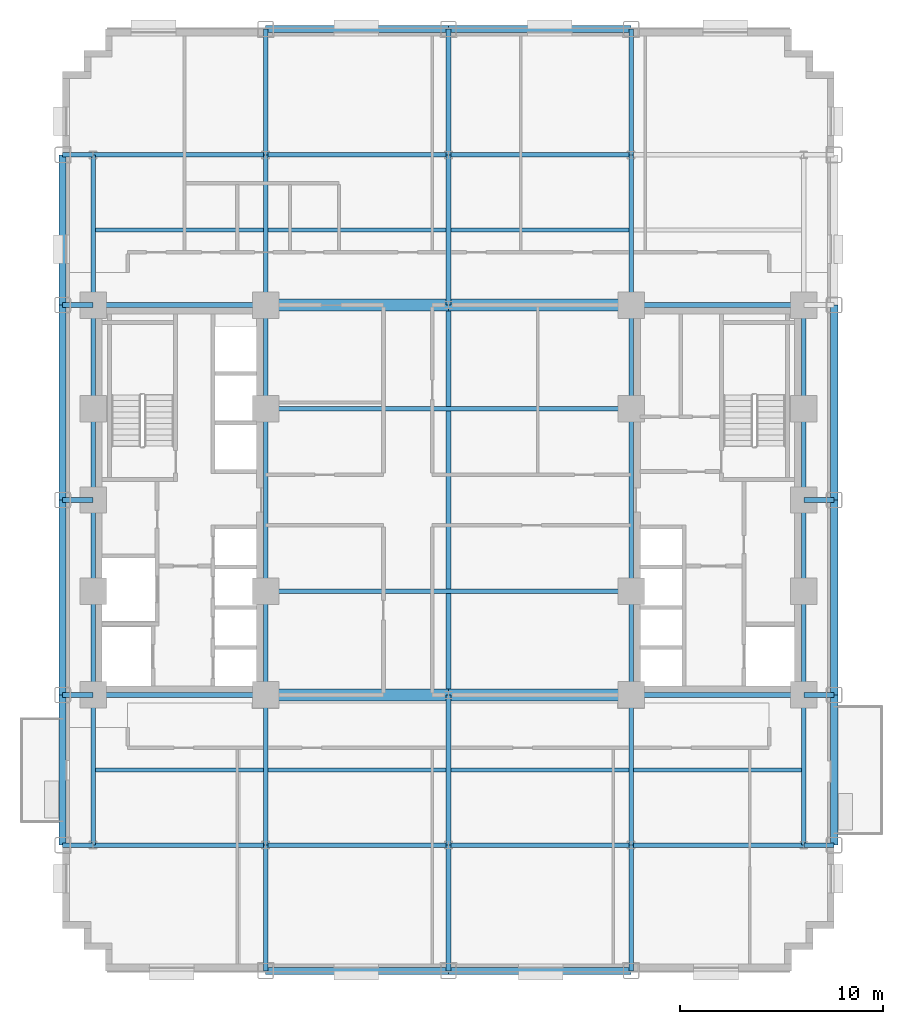
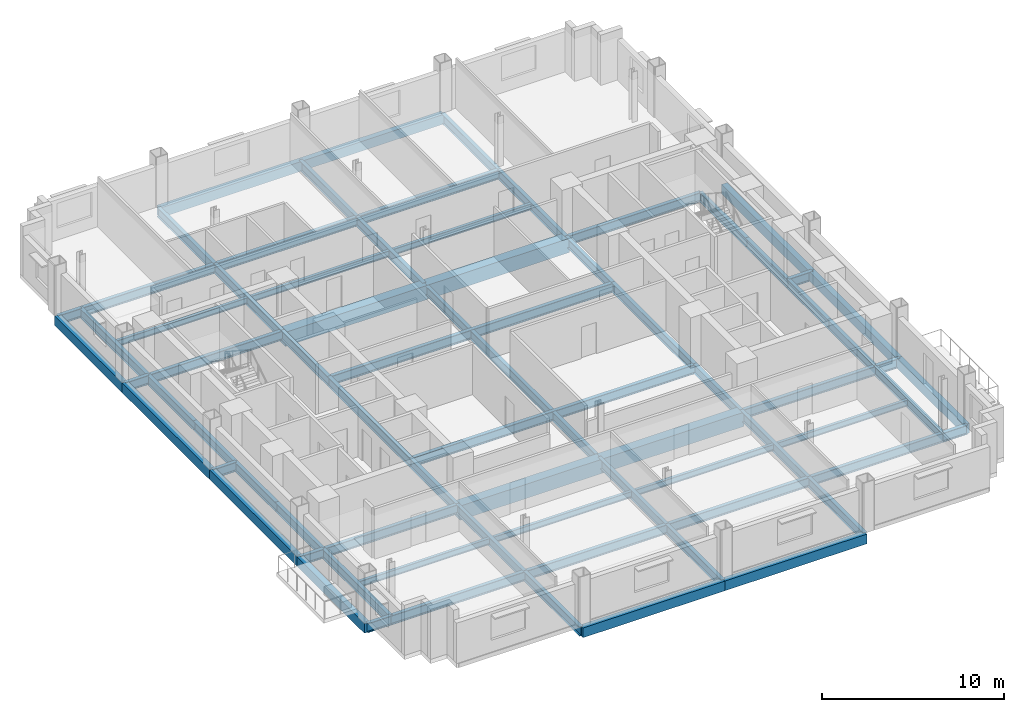
# One storey, part 3 of 12: 73 beams.
"""IFC4 building model written with IfcOpenShell, lengths in metres."""

from ifc_helpers import new_model, si_unit, direction, frame, origin, origin_2d, place, context, subcontext, project, spatial, rectangle, i_section, extrude, material, material_profile, profile_set, type_object, element, save


model = new_model("IFC4")

# Units and contexts
model_context = context("Model", 3, precision=1e-05, world=origin(), true_north=direction((0.0, 1.0)))
body_context = subcontext(model_context, "Body", "Model", "MODEL_VIEW")
ifc_project = project(units=[si_unit("LENGTHUNIT", "METRE"), si_unit("AREAUNIT", "SQUARE_METRE"), si_unit("VOLUMEUNIT", "CUBIC_METRE"), si_unit("PLANEANGLEUNIT", "RADIAN"), si_unit("MASSUNIT", "GRAM", prefix="KILO")], contexts=[model_context])

# Site, building, storey
site_placement = place(None, origin())
site = spatial("IfcSite", under=ifc_project, at=site_placement, CompositionType="ELEMENT")
building_placement = place(site_placement, origin())
building = spatial("IfcBuilding", under=site, at=building_placement, Name="Nuvemarco Arch Tower", CompositionType="ELEMENT")
storey_placement = place(building_placement, frame((0.0, 0.0, 42.199951171875)))
storey = spatial("IfcBuildingStorey", under=building, at=storey_placement, Name="L10", CompositionType="ELEMENT", Elevation=42.199951171875)

# Beams
ifc_material_1 = material(Name="Concrete C60/75", Category="concrete")
ifc_material_profile_1 = material_profile(ifc_material_1, rectangle(XDim=0.60009765625, YDim=0.949951171875, at=origin_2d()), Name="RC-BM-600x950")
ifc_profile_set_1 = profile_set([ifc_material_profile_1], Name="Concrete C60/75")
beam_type_1 = type_object("IfcBeamType", Name="BM-COUP-RC", PredefinedType="LINTEL", material=ifc_profile_set_1)
for number, where, z_axis, x_axis, name in (
    (1, (-9.0, -9.60009765625, -0.7548828125), (1.0, 0.0, 0.0), (0.0, 1.0, 0.0), "L10 structural beam BGEW_L10_0_-9.6_-9.0"),
    (2, (0.0, -9.60009765625, -0.7548828125), (1.0, 0.0, 0.0), (0.0, 1.0, 0.0), "L10 structural beam BGEW_L10_0_-9.6_+0.0"),
    (3, (-9.0, 9.60009765625, -0.7548828125), (1.0, 0.0, 0.0), (0.0, 1.0, 0.0), "L10 structural beam BGEW_L10_0_+9.6_-9.0"),
    (4, (0.0, 9.60009765625, -0.7548828125), (1.0, 0.0, 0.0), (0.0, 1.0, 0.0), "L10 structural beam BGEW_L10_0_+9.6_+0.0"),
):
    element("IfcBeam", number, at=place(storey_placement, frame(where, z_axis=z_axis, x_axis=x_axis)), inside=storey, type_object=beam_type_1, Name=name, PredefinedType="LINTEL", context=body_context, shape_type="SweptSolid", body=[
        extrude(rectangle(XDim=0.60009765625, YDim=0.949951171875, at=origin_2d()), origin(), (0.0, 0.0, 1.0), 9.0),
    ])
ifc_material_2 = material(Name="Steel S355", Category="steel")
ifc_material_profile_2 = material_profile(ifc_material_2, i_section(OverallWidth=0.22998046875, OverallDepth=0.616943359375, WebThickness=0.01318359375, FlangeThickness=0.022216796875, FilletRadius=0.01611328125, at=origin_2d()), Name="W610x140")
ifc_profile_set_2 = profile_set([ifc_material_profile_2], Name="Steel S355")
beam_type_2 = type_object("IfcBeamType", Name="BM-GIRD-610", PredefinedType="BEAM", material=ifc_profile_set_2)
beam_1_placement = place(storey_placement, frame((-17.5, -17.0, -0.58837890625), z_axis=(0.0, 1.0, 0.0), x_axis=(-1.0, 0.0, 0.0)))
element("IfcBeam", 5, at=beam_1_placement, inside=storey, type_object=beam_type_2, Name="L10 structural beam BGNS_L10_0_-17.5_-17.0", PredefinedType="BEAM", context=body_context, shape_type="SweptSolid", body=[
    extrude(i_section(OverallWidth=0.22998046875, OverallDepth=0.616943359375, WebThickness=0.01318359375, FlangeThickness=0.022216796875, FilletRadius=0.01611328125, at=origin_2d()), origin(), (0.0, 0.0, 1.0), 7.39990234375),
])
beam_2_placement = place(storey_placement, frame((-17.5, -9.60009765625, -0.58837890625), z_axis=(0.0, 1.0, 0.0), x_axis=(-1.0, 0.0, 0.0)))
element("IfcBeam", 6, at=beam_2_placement, inside=storey, type_object=beam_type_2, Name="L10 structural beam BGNS_L10_0_-17.5_-9.6", PredefinedType="BEAM", context=body_context, shape_type="SweptSolid", body=[
    extrude(i_section(OverallWidth=0.22998046875, OverallDepth=0.616943359375, WebThickness=0.01318359375, FlangeThickness=0.022216796875, FilletRadius=0.01611328125, at=origin_2d()), origin(), (0.0, 0.0, 1.0), 5.10009765625),
])
for number, where, z_axis, x_axis, name in (
    (7, (-17.5, -4.5, -0.58837890625), (0.0, 1.0, 0.0), (-1.0, 0.0, 0.0), "L10 structural beam BGNS_L10_0_-17.5_-4.5"),
    (8, (-17.5, 0.0, -0.58837890625), (0.0, 1.0, 0.0), (-1.0, 0.0, 0.0), "L10 structural beam BGNS_L10_0_-17.5_+0.0"),
):
    element("IfcBeam", number, at=place(storey_placement, frame(where, z_axis=z_axis, x_axis=x_axis)), inside=storey, type_object=beam_type_2, Name=name, PredefinedType="BEAM", context=body_context, shape_type="SweptSolid", body=[
        extrude(i_section(OverallWidth=0.22998046875, OverallDepth=0.616943359375, WebThickness=0.01318359375, FlangeThickness=0.022216796875, FilletRadius=0.01611328125, at=origin_2d()), origin(), (0.0, 0.0, 1.0), 4.5),
    ])
beam_3_placement = place(storey_placement, frame((-17.5, 4.5, -0.58837890625), z_axis=(0.0, 1.0, 0.0), x_axis=(-1.0, 0.0, 0.0)))
element("IfcBeam", 9, at=beam_3_placement, inside=storey, type_object=beam_type_2, Name="L10 structural beam BGNS_L10_0_-17.5_+4.5", PredefinedType="BEAM", context=body_context, shape_type="SweptSolid", body=[
    extrude(i_section(OverallWidth=0.22998046875, OverallDepth=0.616943359375, WebThickness=0.01318359375, FlangeThickness=0.022216796875, FilletRadius=0.01611328125, at=origin_2d()), origin(), (0.0, 0.0, 1.0), 5.10009765625),
])
beam_4_placement = place(storey_placement, frame((-17.5, 9.60009765625, -0.58837890625), z_axis=(0.0, 1.0, 0.0), x_axis=(-1.0, 0.0, 0.0)))
element("IfcBeam", 10, at=beam_4_placement, inside=storey, type_object=beam_type_2, Name="L10 structural beam BGNS_L10_0_-17.5_+9.6", PredefinedType="BEAM", context=body_context, shape_type="SweptSolid", body=[
    extrude(i_section(OverallWidth=0.22998046875, OverallDepth=0.616943359375, WebThickness=0.01318359375, FlangeThickness=0.022216796875, FilletRadius=0.01611328125, at=origin_2d()), origin(), (0.0, 0.0, 1.0), 7.39990234375),
])
beam_5_placement = place(storey_placement, frame((-9.0, -23.199951171875, -0.58837890625), z_axis=(0.0, 1.0, 0.0), x_axis=(-1.0, 0.0, 0.0)))
element("IfcBeam", 11, at=beam_5_placement, inside=storey, type_object=beam_type_2, Name="L10 structural beam BGNS_L10_0_-9.0_-23.2", PredefinedType="BEAM", context=body_context, shape_type="SweptSolid", body=[
    extrude(i_section(OverallWidth=0.22998046875, OverallDepth=0.616943359375, WebThickness=0.01318359375, FlangeThickness=0.022216796875, FilletRadius=0.01611328125, at=origin_2d()), origin(), (0.0, 0.0, 1.0), 6.199951171875),
])
beam_6_placement = place(storey_placement, frame((-9.0, -17.0, -0.58837890625), z_axis=(0.0, 1.0, 0.0), x_axis=(-1.0, 0.0, 0.0)))
element("IfcBeam", 12, at=beam_6_placement, inside=storey, type_object=beam_type_2, Name="L10 structural beam BGNS_L10_0_-9.0_-17.0", PredefinedType="BEAM", context=body_context, shape_type="SweptSolid", body=[
    extrude(i_section(OverallWidth=0.22998046875, OverallDepth=0.616943359375, WebThickness=0.01318359375, FlangeThickness=0.022216796875, FilletRadius=0.01611328125, at=origin_2d()), origin(), (0.0, 0.0, 1.0), 7.39990234375),
])
beam_7_placement = place(storey_placement, frame((-9.0, -9.60009765625, -0.58837890625), z_axis=(0.0, 1.0, 0.0), x_axis=(-1.0, 0.0, 0.0)))
element("IfcBeam", 13, at=beam_7_placement, inside=storey, type_object=beam_type_2, Name="L10 structural beam BGNS_L10_0_-9.0_-9.6", PredefinedType="BEAM", context=body_context, shape_type="SweptSolid", body=[
    extrude(i_section(OverallWidth=0.22998046875, OverallDepth=0.616943359375, WebThickness=0.01318359375, FlangeThickness=0.022216796875, FilletRadius=0.01611328125, at=origin_2d()), origin(), (0.0, 0.0, 1.0), 5.10009765625),
])
beam_8_placement = place(storey_placement, frame((-9.0, -4.5, -0.58837890625), z_axis=(0.0, 1.0, 0.0), x_axis=(-1.0, 0.0, 0.0)))
element("IfcBeam", 14, at=beam_8_placement, inside=storey, type_object=beam_type_2, Name="L10 structural beam BGNS_L10_0_-9.0_-4.5", PredefinedType="BEAM", context=body_context, shape_type="SweptSolid", body=[
    extrude(i_section(OverallWidth=0.22998046875, OverallDepth=0.616943359375, WebThickness=0.01318359375, FlangeThickness=0.022216796875, FilletRadius=0.01611328125, at=origin_2d()), origin(), (0.0, 0.0, 1.0), 9.0),
])
beam_9_placement = place(storey_placement, frame((-9.0, 4.5, -0.58837890625), z_axis=(0.0, 1.0, 0.0), x_axis=(-1.0, 0.0, 0.0)))
element("IfcBeam", 15, at=beam_9_placement, inside=storey, type_object=beam_type_2, Name="L10 structural beam BGNS_L10_0_-9.0_+4.5", PredefinedType="BEAM", context=body_context, shape_type="SweptSolid", body=[
    extrude(i_section(OverallWidth=0.22998046875, OverallDepth=0.616943359375, WebThickness=0.01318359375, FlangeThickness=0.022216796875, FilletRadius=0.01611328125, at=origin_2d()), origin(), (0.0, 0.0, 1.0), 5.10009765625),
])
beam_10_placement = place(storey_placement, frame((-9.0, 9.60009765625, -0.58837890625), z_axis=(0.0, 1.0, 0.0), x_axis=(-1.0, 0.0, 0.0)))
element("IfcBeam", 16, at=beam_10_placement, inside=storey, type_object=beam_type_2, Name="L10 structural beam BGNS_L10_0_-9.0_+9.6", PredefinedType="BEAM", context=body_context, shape_type="SweptSolid", body=[
    extrude(i_section(OverallWidth=0.22998046875, OverallDepth=0.616943359375, WebThickness=0.01318359375, FlangeThickness=0.022216796875, FilletRadius=0.01611328125, at=origin_2d()), origin(), (0.0, 0.0, 1.0), 7.39990234375),
])
for number, where, z_axis, x_axis, name in (
    (17, (-9.0, 17.0, -0.58837890625), (0.0, 1.0, 0.0), (-1.0, 0.0, 0.0), "L10 structural beam BGNS_L10_0_-9.0_+17.0"),
    (18, (0.0, -23.199951171875, -0.58837890625), (0.0, 1.0, 0.0), (-1.0, 0.0, 0.0), "L10 structural beam BGNS_L10_0_+0.0_-23.2"),
):
    element("IfcBeam", number, at=place(storey_placement, frame(where, z_axis=z_axis, x_axis=x_axis)), inside=storey, type_object=beam_type_2, Name=name, PredefinedType="BEAM", context=body_context, shape_type="SweptSolid", body=[
        extrude(i_section(OverallWidth=0.22998046875, OverallDepth=0.616943359375, WebThickness=0.01318359375, FlangeThickness=0.022216796875, FilletRadius=0.01611328125, at=origin_2d()), origin(), (0.0, 0.0, 1.0), 6.199951171875),
    ])
beam_11_placement = place(storey_placement, frame((0.0, -17.0, -0.58837890625), z_axis=(0.0, 1.0, 0.0), x_axis=(-1.0, 0.0, 0.0)))
element("IfcBeam", 19, at=beam_11_placement, inside=storey, type_object=beam_type_2, Name="L10 structural beam BGNS_L10_0_+0.0_-17.0", PredefinedType="BEAM", context=body_context, shape_type="SweptSolid", body=[
    extrude(i_section(OverallWidth=0.22998046875, OverallDepth=0.616943359375, WebThickness=0.01318359375, FlangeThickness=0.022216796875, FilletRadius=0.01611328125, at=origin_2d()), origin(), (0.0, 0.0, 1.0), 7.39990234375),
])
beam_12_placement = place(storey_placement, frame((0.0, -9.60009765625, -0.58837890625), z_axis=(0.0, 1.0, 0.0), x_axis=(-1.0, 0.0, 0.0)))
element("IfcBeam", 20, at=beam_12_placement, inside=storey, type_object=beam_type_2, Name="L10 structural beam BGNS_L10_0_+0.0_-9.6", PredefinedType="BEAM", context=body_context, shape_type="SweptSolid", body=[
    extrude(i_section(OverallWidth=0.22998046875, OverallDepth=0.616943359375, WebThickness=0.01318359375, FlangeThickness=0.022216796875, FilletRadius=0.01611328125, at=origin_2d()), origin(), (0.0, 0.0, 1.0), 19.2001953125),
])
beam_13_placement = place(storey_placement, frame((0.0, 9.60009765625, -0.58837890625), z_axis=(0.0, 1.0, 0.0), x_axis=(-1.0, 0.0, 0.0)))
element("IfcBeam", 21, at=beam_13_placement, inside=storey, type_object=beam_type_2, Name="L10 structural beam BGNS_L10_0_+0.0_+9.6", PredefinedType="BEAM", context=body_context, shape_type="SweptSolid", body=[
    extrude(i_section(OverallWidth=0.22998046875, OverallDepth=0.616943359375, WebThickness=0.01318359375, FlangeThickness=0.022216796875, FilletRadius=0.01611328125, at=origin_2d()), origin(), (0.0, 0.0, 1.0), 7.39990234375),
])
for number, where, z_axis, x_axis, name in (
    (22, (0.0, 17.0, -0.58837890625), (0.0, 1.0, 0.0), (-1.0, 0.0, 0.0), "L10 structural beam BGNS_L10_0_+0.0_+17.0"),
    (23, (9.0, -23.199951171875, -0.58837890625), (0.0, 1.0, 0.0), (-1.0, 0.0, 0.0), "L10 structural beam BGNS_L10_0_+9.0_-23.2"),
):
    element("IfcBeam", number, at=place(storey_placement, frame(where, z_axis=z_axis, x_axis=x_axis)), inside=storey, type_object=beam_type_2, Name=name, PredefinedType="BEAM", context=body_context, shape_type="SweptSolid", body=[
        extrude(i_section(OverallWidth=0.22998046875, OverallDepth=0.616943359375, WebThickness=0.01318359375, FlangeThickness=0.022216796875, FilletRadius=0.01611328125, at=origin_2d()), origin(), (0.0, 0.0, 1.0), 6.199951171875),
    ])
beam_14_placement = place(storey_placement, frame((9.0, -17.0, -0.58837890625), z_axis=(0.0, 1.0, 0.0), x_axis=(-1.0, 0.0, 0.0)))
element("IfcBeam", 24, at=beam_14_placement, inside=storey, type_object=beam_type_2, Name="L10 structural beam BGNS_L10_0_+9.0_-17.0", PredefinedType="BEAM", context=body_context, shape_type="SweptSolid", body=[
    extrude(i_section(OverallWidth=0.22998046875, OverallDepth=0.616943359375, WebThickness=0.01318359375, FlangeThickness=0.022216796875, FilletRadius=0.01611328125, at=origin_2d()), origin(), (0.0, 0.0, 1.0), 7.39990234375),
])
beam_15_placement = place(storey_placement, frame((9.0, -9.60009765625, -0.58837890625), z_axis=(0.0, 1.0, 0.0), x_axis=(-1.0, 0.0, 0.0)))
element("IfcBeam", 25, at=beam_15_placement, inside=storey, type_object=beam_type_2, Name="L10 structural beam BGNS_L10_0_+9.0_-9.6", PredefinedType="BEAM", context=body_context, shape_type="SweptSolid", body=[
    extrude(i_section(OverallWidth=0.22998046875, OverallDepth=0.616943359375, WebThickness=0.01318359375, FlangeThickness=0.022216796875, FilletRadius=0.01611328125, at=origin_2d()), origin(), (0.0, 0.0, 1.0), 5.10009765625),
])
beam_16_placement = place(storey_placement, frame((9.0, -4.5, -0.58837890625), z_axis=(0.0, 1.0, 0.0), x_axis=(-1.0, 0.0, 0.0)))
element("IfcBeam", 26, at=beam_16_placement, inside=storey, type_object=beam_type_2, Name="L10 structural beam BGNS_L10_0_+9.0_-4.5", PredefinedType="BEAM", context=body_context, shape_type="SweptSolid", body=[
    extrude(i_section(OverallWidth=0.22998046875, OverallDepth=0.616943359375, WebThickness=0.01318359375, FlangeThickness=0.022216796875, FilletRadius=0.01611328125, at=origin_2d()), origin(), (0.0, 0.0, 1.0), 9.0),
])
beam_17_placement = place(storey_placement, frame((9.0, 4.5, -0.58837890625), z_axis=(0.0, 1.0, 0.0), x_axis=(-1.0, 0.0, 0.0)))
element("IfcBeam", 27, at=beam_17_placement, inside=storey, type_object=beam_type_2, Name="L10 structural beam BGNS_L10_0_+9.0_+4.5", PredefinedType="BEAM", context=body_context, shape_type="SweptSolid", body=[
    extrude(i_section(OverallWidth=0.22998046875, OverallDepth=0.616943359375, WebThickness=0.01318359375, FlangeThickness=0.022216796875, FilletRadius=0.01611328125, at=origin_2d()), origin(), (0.0, 0.0, 1.0), 5.10009765625),
])
beam_18_placement = place(storey_placement, frame((9.0, 9.60009765625, -0.58837890625), z_axis=(0.0, 1.0, 0.0), x_axis=(-1.0, 0.0, 0.0)))
element("IfcBeam", 28, at=beam_18_placement, inside=storey, type_object=beam_type_2, Name="L10 structural beam BGNS_L10_0_+9.0_+9.6", PredefinedType="BEAM", context=body_context, shape_type="SweptSolid", body=[
    extrude(i_section(OverallWidth=0.22998046875, OverallDepth=0.616943359375, WebThickness=0.01318359375, FlangeThickness=0.022216796875, FilletRadius=0.01611328125, at=origin_2d()), origin(), (0.0, 0.0, 1.0), 7.39990234375),
])
beam_19_placement = place(storey_placement, frame((9.0, 17.0, -0.58837890625), z_axis=(0.0, 1.0, 0.0), x_axis=(-1.0, 0.0, 0.0)))
element("IfcBeam", 29, at=beam_19_placement, inside=storey, type_object=beam_type_2, Name="L10 structural beam BGNS_L10_0_+9.0_+17.0", PredefinedType="BEAM", context=body_context, shape_type="SweptSolid", body=[
    extrude(i_section(OverallWidth=0.22998046875, OverallDepth=0.616943359375, WebThickness=0.01318359375, FlangeThickness=0.022216796875, FilletRadius=0.01611328125, at=origin_2d()), origin(), (0.0, 0.0, 1.0), 6.199951171875),
])
beam_20_placement = place(storey_placement, frame((17.5, -17.0, -0.58837890625), z_axis=(0.0, 1.0, 0.0), x_axis=(-1.0, 0.0, 0.0)))
element("IfcBeam", 30, at=beam_20_placement, inside=storey, type_object=beam_type_2, Name="L10 structural beam BGNS_L10_0_+17.5_-17.0", PredefinedType="BEAM", context=body_context, shape_type="SweptSolid", body=[
    extrude(i_section(OverallWidth=0.22998046875, OverallDepth=0.616943359375, WebThickness=0.01318359375, FlangeThickness=0.022216796875, FilletRadius=0.01611328125, at=origin_2d()), origin(), (0.0, 0.0, 1.0), 7.39990234375),
])
beam_21_placement = place(storey_placement, frame((17.5, -9.60009765625, -0.58837890625), z_axis=(0.0, 1.0, 0.0), x_axis=(-1.0, 0.0, 0.0)))
element("IfcBeam", 31, at=beam_21_placement, inside=storey, type_object=beam_type_2, Name="L10 structural beam BGNS_L10_0_+17.5_-9.6", PredefinedType="BEAM", context=body_context, shape_type="SweptSolid", body=[
    extrude(i_section(OverallWidth=0.22998046875, OverallDepth=0.616943359375, WebThickness=0.01318359375, FlangeThickness=0.022216796875, FilletRadius=0.01611328125, at=origin_2d()), origin(), (0.0, 0.0, 1.0), 5.10009765625),
])
for number, where, z_axis, x_axis, name in (
    (32, (17.5, -4.5, -0.58837890625), (0.0, 1.0, 0.0), (-1.0, 0.0, 0.0), "L10 structural beam BGNS_L10_0_+17.5_-4.5"),
    (33, (17.5, 0.0, -0.58837890625), (0.0, 1.0, 0.0), (-1.0, 0.0, 0.0), "L10 structural beam BGNS_L10_0_+17.5_+0.0"),
):
    element("IfcBeam", number, at=place(storey_placement, frame(where, z_axis=z_axis, x_axis=x_axis)), inside=storey, type_object=beam_type_2, Name=name, PredefinedType="BEAM", context=body_context, shape_type="SweptSolid", body=[
        extrude(i_section(OverallWidth=0.22998046875, OverallDepth=0.616943359375, WebThickness=0.01318359375, FlangeThickness=0.022216796875, FilletRadius=0.01611328125, at=origin_2d()), origin(), (0.0, 0.0, 1.0), 4.5),
    ])
beam_22_placement = place(storey_placement, frame((17.5, 4.5, -0.58837890625), z_axis=(0.0, 1.0, 0.0), x_axis=(-1.0, 0.0, 0.0)))
element("IfcBeam", 34, at=beam_22_placement, inside=storey, type_object=beam_type_2, Name="L10 structural beam BGNS_L10_0_+17.5_+4.5", PredefinedType="BEAM", context=body_context, shape_type="SweptSolid", body=[
    extrude(i_section(OverallWidth=0.22998046875, OverallDepth=0.616943359375, WebThickness=0.01318359375, FlangeThickness=0.022216796875, FilletRadius=0.01611328125, at=origin_2d()), origin(), (0.0, 0.0, 1.0), 5.10009765625),
])
beam_23_placement = place(storey_placement, frame((-19.0, -17.0, -0.58837890625), z_axis=(1.0, 0.0, 0.0), x_axis=(0.0, 1.0, 0.0)))
element("IfcBeam", 35, at=beam_23_placement, inside=storey, type_object=beam_type_2, Name="L10 structural beam BGEW_L10_0_-17.0_-19.0", PredefinedType="BEAM", context=body_context, shape_type="SweptSolid", body=[
    extrude(i_section(OverallWidth=0.22998046875, OverallDepth=0.616943359375, WebThickness=0.01318359375, FlangeThickness=0.022216796875, FilletRadius=0.01611328125, at=origin_2d()), origin(), (0.0, 0.0, 1.0), 1.5),
])
beam_24_placement = place(storey_placement, frame((-17.5, -17.0, -0.58837890625), z_axis=(1.0, 0.0, 0.0), x_axis=(0.0, 1.0, 0.0)))
element("IfcBeam", 36, at=beam_24_placement, inside=storey, type_object=beam_type_2, Name="L10 structural beam BGEW_L10_0_-17.0_-17.5", PredefinedType="BEAM", context=body_context, shape_type="SweptSolid", body=[
    extrude(i_section(OverallWidth=0.22998046875, OverallDepth=0.616943359375, WebThickness=0.01318359375, FlangeThickness=0.022216796875, FilletRadius=0.01611328125, at=origin_2d()), origin(), (0.0, 0.0, 1.0), 8.5),
])
for number, where, z_axis, x_axis, name in (
    (37, (-9.0, -17.0, -0.58837890625), (1.0, 0.0, 0.0), (0.0, 1.0, 0.0), "L10 structural beam BGEW_L10_0_-17.0_-9.0"),
    (38, (0.0, -17.0, -0.58837890625), (1.0, 0.0, 0.0), (0.0, 1.0, 0.0), "L10 structural beam BGEW_L10_0_-17.0_+0.0"),
):
    element("IfcBeam", number, at=place(storey_placement, frame(where, z_axis=z_axis, x_axis=x_axis)), inside=storey, type_object=beam_type_2, Name=name, PredefinedType="BEAM", context=body_context, shape_type="SweptSolid", body=[
        extrude(i_section(OverallWidth=0.22998046875, OverallDepth=0.616943359375, WebThickness=0.01318359375, FlangeThickness=0.022216796875, FilletRadius=0.01611328125, at=origin_2d()), origin(), (0.0, 0.0, 1.0), 9.0),
    ])
beam_25_placement = place(storey_placement, frame((9.0, -17.0, -0.58837890625), z_axis=(1.0, 0.0, 0.0), x_axis=(0.0, 1.0, 0.0)))
element("IfcBeam", 39, at=beam_25_placement, inside=storey, type_object=beam_type_2, Name="L10 structural beam BGEW_L10_0_-17.0_+9.0", PredefinedType="BEAM", context=body_context, shape_type="SweptSolid", body=[
    extrude(i_section(OverallWidth=0.22998046875, OverallDepth=0.616943359375, WebThickness=0.01318359375, FlangeThickness=0.022216796875, FilletRadius=0.01611328125, at=origin_2d()), origin(), (0.0, 0.0, 1.0), 8.5),
])
for number, where, z_axis, x_axis, name in (
    (40, (17.5, -17.0, -0.58837890625), (1.0, 0.0, 0.0), (0.0, 1.0, 0.0), "L10 structural beam BGEW_L10_0_-17.0_+17.5"),
    (41, (-19.0, -9.60009765625, -0.58837890625), (1.0, 0.0, 0.0), (0.0, 1.0, 0.0), "L10 structural beam BGEW_L10_0_-9.6_-19.0"),
):
    element("IfcBeam", number, at=place(storey_placement, frame(where, z_axis=z_axis, x_axis=x_axis)), inside=storey, type_object=beam_type_2, Name=name, PredefinedType="BEAM", context=body_context, shape_type="SweptSolid", body=[
        extrude(i_section(OverallWidth=0.22998046875, OverallDepth=0.616943359375, WebThickness=0.01318359375, FlangeThickness=0.022216796875, FilletRadius=0.01611328125, at=origin_2d()), origin(), (0.0, 0.0, 1.0), 1.5),
    ])
for number, where, z_axis, x_axis, name in (
    (42, (-17.5, -9.60009765625, -0.58837890625), (1.0, 0.0, 0.0), (0.0, 1.0, 0.0), "L10 structural beam BGEW_L10_0_-9.6_-17.5"),
    (43, (9.0, -9.60009765625, -0.58837890625), (1.0, 0.0, 0.0), (0.0, 1.0, 0.0), "L10 structural beam BGEW_L10_0_-9.6_+9.0"),
):
    element("IfcBeam", number, at=place(storey_placement, frame(where, z_axis=z_axis, x_axis=x_axis)), inside=storey, type_object=beam_type_2, Name=name, PredefinedType="BEAM", context=body_context, shape_type="SweptSolid", body=[
        extrude(i_section(OverallWidth=0.22998046875, OverallDepth=0.616943359375, WebThickness=0.01318359375, FlangeThickness=0.022216796875, FilletRadius=0.01611328125, at=origin_2d()), origin(), (0.0, 0.0, 1.0), 8.5),
    ])
beam_26_placement = place(storey_placement, frame((17.5, -9.60009765625, -0.58837890625), z_axis=(1.0, 0.0, 0.0), x_axis=(0.0, 1.0, 0.0)))
element("IfcBeam", 44, at=beam_26_placement, inside=storey, type_object=beam_type_2, Name="L10 structural beam BGEW_L10_0_-9.6_+17.5", PredefinedType="BEAM", context=body_context, shape_type="SweptSolid", body=[
    extrude(i_section(OverallWidth=0.22998046875, OverallDepth=0.616943359375, WebThickness=0.01318359375, FlangeThickness=0.022216796875, FilletRadius=0.01611328125, at=origin_2d()), origin(), (0.0, 0.0, 1.0), 1.5),
])
beam_27_placement = place(storey_placement, frame((-9.0, -4.5, -0.58837890625), z_axis=(1.0, 0.0, 0.0), x_axis=(0.0, 1.0, 0.0)))
element("IfcBeam", 45, at=beam_27_placement, inside=storey, type_object=beam_type_2, Name="L10 structural beam BGEW_L10_0_-4.5_-9.0", PredefinedType="BEAM", context=body_context, shape_type="SweptSolid", body=[
    extrude(i_section(OverallWidth=0.22998046875, OverallDepth=0.616943359375, WebThickness=0.01318359375, FlangeThickness=0.022216796875, FilletRadius=0.01611328125, at=origin_2d()), origin(), (0.0, 0.0, 1.0), 18.0),
])
for number, where, z_axis, x_axis, name in (
    (46, (-19.0, 0.0, -0.58837890625), (1.0, 0.0, 0.0), (0.0, 1.0, 0.0), "L10 structural beam BGEW_L10_0_+0.0_-19.0"),
    (47, (17.5, 0.0, -0.58837890625), (1.0, 0.0, 0.0), (0.0, 1.0, 0.0), "L10 structural beam BGEW_L10_0_+0.0_+17.5"),
):
    element("IfcBeam", number, at=place(storey_placement, frame(where, z_axis=z_axis, x_axis=x_axis)), inside=storey, type_object=beam_type_2, Name=name, PredefinedType="BEAM", context=body_context, shape_type="SweptSolid", body=[
        extrude(i_section(OverallWidth=0.22998046875, OverallDepth=0.616943359375, WebThickness=0.01318359375, FlangeThickness=0.022216796875, FilletRadius=0.01611328125, at=origin_2d()), origin(), (0.0, 0.0, 1.0), 1.5),
    ])
beam_28_placement = place(storey_placement, frame((-9.0, 4.5, -0.58837890625), z_axis=(1.0, 0.0, 0.0), x_axis=(0.0, 1.0, 0.0)))
element("IfcBeam", 48, at=beam_28_placement, inside=storey, type_object=beam_type_2, Name="L10 structural beam BGEW_L10_0_+4.5_-9.0", PredefinedType="BEAM", context=body_context, shape_type="SweptSolid", body=[
    extrude(i_section(OverallWidth=0.22998046875, OverallDepth=0.616943359375, WebThickness=0.01318359375, FlangeThickness=0.022216796875, FilletRadius=0.01611328125, at=origin_2d()), origin(), (0.0, 0.0, 1.0), 18.0),
])
beam_29_placement = place(storey_placement, frame((-19.0, 9.60009765625, -0.58837890625), z_axis=(1.0, 0.0, 0.0), x_axis=(0.0, 1.0, 0.0)))
element("IfcBeam", 49, at=beam_29_placement, inside=storey, type_object=beam_type_2, Name="L10 structural beam BGEW_L10_0_+9.6_-19.0", PredefinedType="BEAM", context=body_context, shape_type="SweptSolid", body=[
    extrude(i_section(OverallWidth=0.22998046875, OverallDepth=0.616943359375, WebThickness=0.01318359375, FlangeThickness=0.022216796875, FilletRadius=0.01611328125, at=origin_2d()), origin(), (0.0, 0.0, 1.0), 1.5),
])
for number, where, z_axis, x_axis, name in (
    (50, (-17.5, 9.60009765625, -0.58837890625), (1.0, 0.0, 0.0), (0.0, 1.0, 0.0), "L10 structural beam BGEW_L10_0_+9.6_-17.5"),
    (51, (9.0, 9.60009765625, -0.58837890625), (1.0, 0.0, 0.0), (0.0, 1.0, 0.0), "L10 structural beam BGEW_L10_0_+9.6_+9.0"),
):
    element("IfcBeam", number, at=place(storey_placement, frame(where, z_axis=z_axis, x_axis=x_axis)), inside=storey, type_object=beam_type_2, Name=name, PredefinedType="BEAM", context=body_context, shape_type="SweptSolid", body=[
        extrude(i_section(OverallWidth=0.22998046875, OverallDepth=0.616943359375, WebThickness=0.01318359375, FlangeThickness=0.022216796875, FilletRadius=0.01611328125, at=origin_2d()), origin(), (0.0, 0.0, 1.0), 8.5),
    ])
beam_30_placement = place(storey_placement, frame((-19.0, 17.0, -0.58837890625), z_axis=(1.0, 0.0, 0.0), x_axis=(0.0, 1.0, 0.0)))
element("IfcBeam", 52, at=beam_30_placement, inside=storey, type_object=beam_type_2, Name="L10 structural beam BGEW_L10_0_+17.0_-19.0", PredefinedType="BEAM", context=body_context, shape_type="SweptSolid", body=[
    extrude(i_section(OverallWidth=0.22998046875, OverallDepth=0.616943359375, WebThickness=0.01318359375, FlangeThickness=0.022216796875, FilletRadius=0.01611328125, at=origin_2d()), origin(), (0.0, 0.0, 1.0), 1.5),
])
beam_31_placement = place(storey_placement, frame((-17.5, 17.0, -0.58837890625), z_axis=(1.0, 0.0, 0.0), x_axis=(0.0, 1.0, 0.0)))
element("IfcBeam", 53, at=beam_31_placement, inside=storey, type_object=beam_type_2, Name="L10 structural beam BGEW_L10_0_+17.0_-17.5", PredefinedType="BEAM", context=body_context, shape_type="SweptSolid", body=[
    extrude(i_section(OverallWidth=0.22998046875, OverallDepth=0.616943359375, WebThickness=0.01318359375, FlangeThickness=0.022216796875, FilletRadius=0.01611328125, at=origin_2d()), origin(), (0.0, 0.0, 1.0), 8.5),
])
for number, where, z_axis, x_axis, name in (
    (54, (-9.0, 17.0, -0.58837890625), (1.0, 0.0, 0.0), (0.0, 1.0, 0.0), "L10 structural beam BGEW_L10_0_+17.0_-9.0"),
    (55, (0.0, 17.0, -0.58837890625), (1.0, 0.0, 0.0), (0.0, 1.0, 0.0), "L10 structural beam BGEW_L10_0_+17.0_+0.0"),
):
    element("IfcBeam", number, at=place(storey_placement, frame(where, z_axis=z_axis, x_axis=x_axis)), inside=storey, type_object=beam_type_2, Name=name, PredefinedType="BEAM", context=body_context, shape_type="SweptSolid", body=[
        extrude(i_section(OverallWidth=0.22998046875, OverallDepth=0.616943359375, WebThickness=0.01318359375, FlangeThickness=0.022216796875, FilletRadius=0.01611328125, at=origin_2d()), origin(), (0.0, 0.0, 1.0), 9.0),
    ])
ifc_material_profile_3 = material_profile(ifc_material_2, i_section(OverallWidth=0.179931640625, OverallDepth=0.4130859375, WebThickness=0.009765625, FlangeThickness=0.01611328125, FilletRadius=0.014892578125, at=origin_2d()), Name="W410x75")
ifc_profile_set_3 = profile_set([ifc_material_profile_3], Name="Steel S355")
beam_type_3 = type_object("IfcBeamType", Name="BM-JOIST-410", PredefinedType="JOIST", material=ifc_profile_set_3)
beam_32_placement = place(storey_placement, frame((-17.385009765625, -13.300048828125, -0.486572265625), z_axis=(1.0, 0.0, 0.0), x_axis=(0.0, 1.0, 0.0)))
element("IfcBeam", 56, at=beam_32_placement, inside=storey, type_object=beam_type_3, Name="L10 structural beam BJ_L10_0_-13.3_-17.5", PredefinedType="JOIST", context=body_context, shape_type="SweptSolid", body=[
    extrude(i_section(OverallWidth=0.179931640625, OverallDepth=0.4130859375, WebThickness=0.009765625, FlangeThickness=0.01611328125, FilletRadius=0.014892578125, at=origin_2d()), origin(), (0.0, 0.0, 1.0), 8.27001953125),
])
for number, where, z_axis, x_axis, name in (
    (57, (-8.885009765625, -13.300048828125, -0.486572265625), (1.0, 0.0, 0.0), (0.0, 1.0, 0.0), "L10 structural beam BJ_L10_0_-13.3_-9.0"),
    (58, (0.114990234375, -13.300048828125, -0.486572265625), (1.0, 0.0, 0.0), (0.0, 1.0, 0.0), "L10 structural beam BJ_L10_0_-13.3_+0.0"),
):
    element("IfcBeam", number, at=place(storey_placement, frame(where, z_axis=z_axis, x_axis=x_axis)), inside=storey, type_object=beam_type_3, Name=name, PredefinedType="JOIST", context=body_context, shape_type="SweptSolid", body=[
        extrude(i_section(OverallWidth=0.179931640625, OverallDepth=0.4130859375, WebThickness=0.009765625, FlangeThickness=0.01611328125, FilletRadius=0.014892578125, at=origin_2d()), origin(), (0.0, 0.0, 1.0), 8.77001953125),
    ])
for number, where, z_axis, x_axis, name in (
    (59, (9.114990234375, -13.300048828125, -0.486572265625), (1.0, 0.0, 0.0), (0.0, 1.0, 0.0), "L10 structural beam BJ_L10_0_-13.3_+9.0"),
    (60, (-17.385009765625, 13.300048828125, -0.486572265625), (1.0, 0.0, 0.0), (0.0, 1.0, 0.0), "L10 structural beam BJ_L10_0_+13.3_-17.5"),
):
    element("IfcBeam", number, at=place(storey_placement, frame(where, z_axis=z_axis, x_axis=x_axis)), inside=storey, type_object=beam_type_3, Name=name, PredefinedType="JOIST", context=body_context, shape_type="SweptSolid", body=[
        extrude(i_section(OverallWidth=0.179931640625, OverallDepth=0.4130859375, WebThickness=0.009765625, FlangeThickness=0.01611328125, FilletRadius=0.014892578125, at=origin_2d()), origin(), (0.0, 0.0, 1.0), 8.27001953125),
    ])
for number, where, z_axis, x_axis, name in (
    (61, (-8.885009765625, 13.300048828125, -0.486572265625), (1.0, 0.0, 0.0), (0.0, 1.0, 0.0), "L10 structural beam BJ_L10_0_+13.3_-9.0"),
    (62, (0.114990234375, 13.300048828125, -0.486572265625), (1.0, 0.0, 0.0), (0.0, 1.0, 0.0), "L10 structural beam BJ_L10_0_+13.3_+0.0"),
):
    element("IfcBeam", number, at=place(storey_placement, frame(where, z_axis=z_axis, x_axis=x_axis)), inside=storey, type_object=beam_type_3, Name=name, PredefinedType="JOIST", context=body_context, shape_type="SweptSolid", body=[
        extrude(i_section(OverallWidth=0.179931640625, OverallDepth=0.4130859375, WebThickness=0.009765625, FlangeThickness=0.01611328125, FilletRadius=0.014892578125, at=origin_2d()), origin(), (0.0, 0.0, 1.0), 8.77001953125),
    ])
ifc_material_3 = material(Name="Precast concrete C45/55", Category="concrete")
ifc_material_profile_4 = material_profile(ifc_material_3, rectangle(XDim=0.35009765625, YDim=0.64990234375, at=origin_2d()), Name="PC-SP-350x650")
ifc_profile_set_4 = profile_set([ifc_material_profile_4], Name="Precast concrete C45/55")
beam_type_4 = type_object("IfcBeamType", Name="BM-SPAN-RC", PredefinedType="SPANDREL", material=ifc_profile_set_4)
beam_33_placement = place(storey_placement, frame((-19.0, -17.0, -0.60498046875), z_axis=(0.0, 1.0, 0.0), x_axis=(-1.0, 0.0, 0.0)))
element("IfcBeam", 63, at=beam_33_placement, inside=storey, type_object=beam_type_4, Name="L10 structural beam BGNS_L10_0_-19.0_-17.0", PredefinedType="SPANDREL", context=body_context, shape_type="SweptSolid", body=[
    extrude(rectangle(XDim=0.35009765625, YDim=0.64990234375, at=origin_2d()), origin(), (0.0, 0.0, 1.0), 7.39990234375),
])
for number, where, z_axis, x_axis, name in (
    (64, (-19.0, -9.60009765625, -0.60498046875), (0.0, 1.0, 0.0), (-1.0, 0.0, 0.0), "L10 structural beam BGNS_L10_0_-19.0_-9.6"),
    (65, (-19.0, 0.0, -0.60498046875), (0.0, 1.0, 0.0), (-1.0, 0.0, 0.0), "L10 structural beam BGNS_L10_0_-19.0_+0.0"),
):
    element("IfcBeam", number, at=place(storey_placement, frame(where, z_axis=z_axis, x_axis=x_axis)), inside=storey, type_object=beam_type_4, Name=name, PredefinedType="SPANDREL", context=body_context, shape_type="SweptSolid", body=[
        extrude(rectangle(XDim=0.35009765625, YDim=0.64990234375, at=origin_2d()), origin(), (0.0, 0.0, 1.0), 9.60009765625),
    ])
for number, where, z_axis, x_axis, name in (
    (66, (-19.0, 9.60009765625, -0.60498046875), (0.0, 1.0, 0.0), (-1.0, 0.0, 0.0), "L10 structural beam BGNS_L10_0_-19.0_+9.6"),
    (67, (19.0, -17.0, -0.60498046875), (0.0, 1.0, 0.0), (-1.0, 0.0, 0.0), "L10 structural beam BGNS_L10_0_+19.0_-17.0"),
):
    element("IfcBeam", number, at=place(storey_placement, frame(where, z_axis=z_axis, x_axis=x_axis)), inside=storey, type_object=beam_type_4, Name=name, PredefinedType="SPANDREL", context=body_context, shape_type="SweptSolid", body=[
        extrude(rectangle(XDim=0.35009765625, YDim=0.64990234375, at=origin_2d()), origin(), (0.0, 0.0, 1.0), 7.39990234375),
    ])
for number, where, z_axis, x_axis, name in (
    (68, (19.0, -9.60009765625, -0.60498046875), (0.0, 1.0, 0.0), (-1.0, 0.0, 0.0), "L10 structural beam BGNS_L10_0_+19.0_-9.6"),
    (69, (19.0, 0.0, -0.60498046875), (0.0, 1.0, 0.0), (-1.0, 0.0, 0.0), "L10 structural beam BGNS_L10_0_+19.0_+0.0"),
):
    element("IfcBeam", number, at=place(storey_placement, frame(where, z_axis=z_axis, x_axis=x_axis)), inside=storey, type_object=beam_type_4, Name=name, PredefinedType="SPANDREL", context=body_context, shape_type="SweptSolid", body=[
        extrude(rectangle(XDim=0.35009765625, YDim=0.64990234375, at=origin_2d()), origin(), (0.0, 0.0, 1.0), 9.60009765625),
    ])
for number, where, z_axis, x_axis, name in (
    (70, (-9.0, -23.199951171875, -0.60498046875), (1.0, 0.0, 0.0), (0.0, 1.0, 0.0), "L10 structural beam BGEW_L10_0_-23.2_-9.0"),
    (71, (0.0, -23.199951171875, -0.60498046875), (1.0, 0.0, 0.0), (0.0, 1.0, 0.0), "L10 structural beam BGEW_L10_0_-23.2_+0.0"),
    (72, (-9.0, 23.199951171875, -0.60498046875), (1.0, 0.0, 0.0), (0.0, 1.0, 0.0), "L10 structural beam BGEW_L10_0_+23.2_-9.0"),
    (73, (0.0, 23.199951171875, -0.60498046875), (1.0, 0.0, 0.0), (0.0, 1.0, 0.0), "L10 structural beam BGEW_L10_0_+23.2_+0.0"),
):
    element("IfcBeam", number, at=place(storey_placement, frame(where, z_axis=z_axis, x_axis=x_axis)), inside=storey, type_object=beam_type_4, Name=name, PredefinedType="SPANDREL", context=body_context, shape_type="SweptSolid", body=[
        extrude(rectangle(XDim=0.35009765625, YDim=0.64990234375, at=origin_2d()), origin(), (0.0, 0.0, 1.0), 9.0),
    ])

save(model, "model.ifc")
